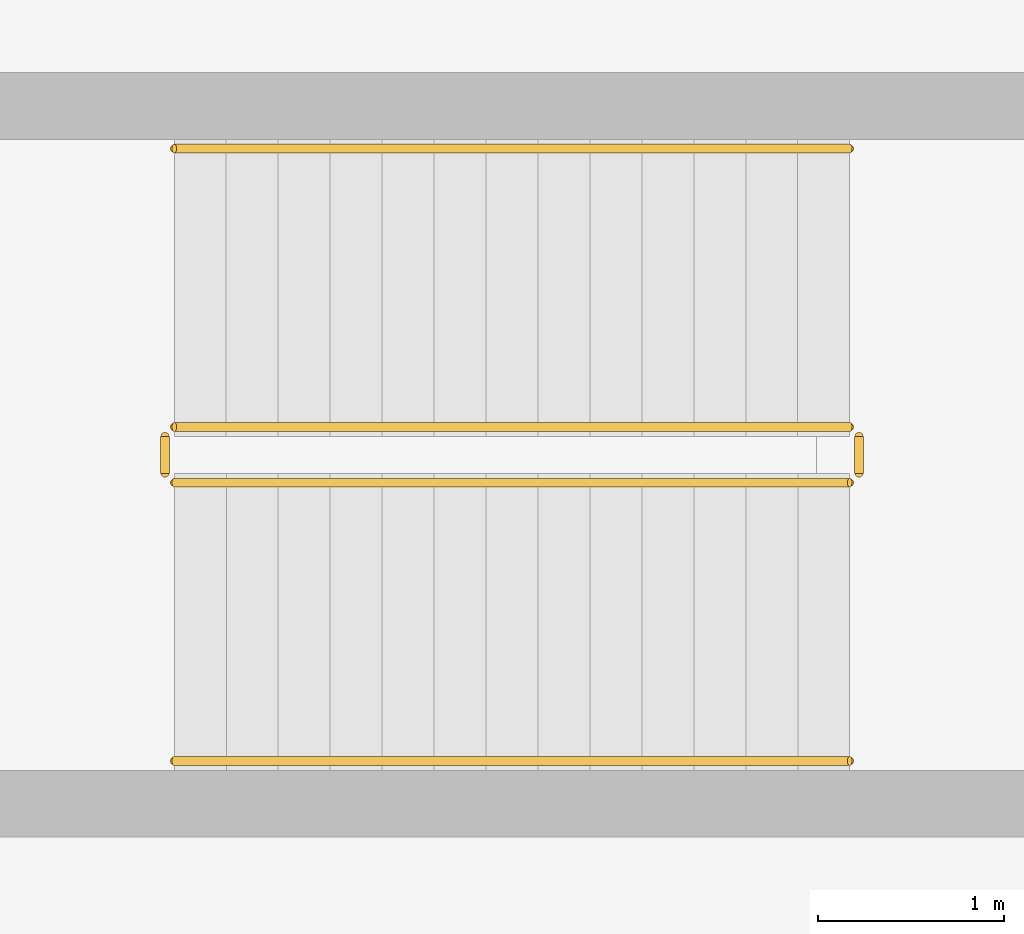
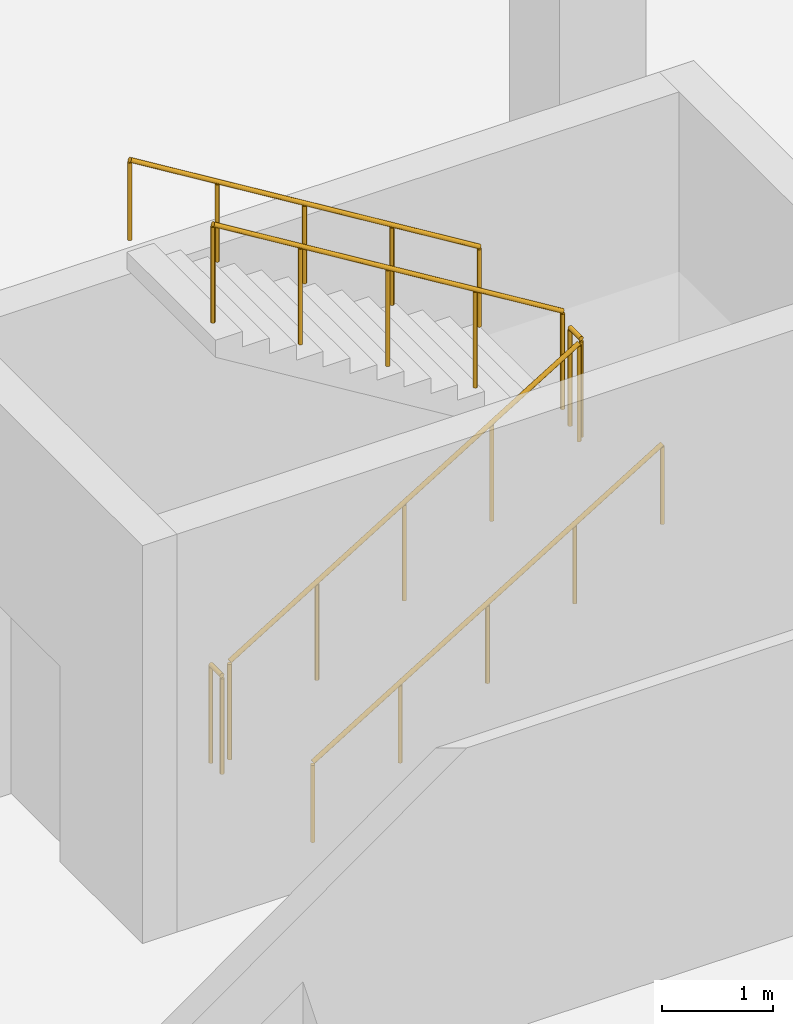
# One storey, part 25 of 28: 6 railings.
"""IFC4 building model written with IfcOpenShell, lengths in metres."""

from ifc_helpers import new_model, si_unit, direction, frame, origin, origin_2d, place, context, subcontext, project, spatial, circle, extrude, material, type_object, element, save


model = new_model("IFC4")

# Units and contexts
model_context = context("Model", 3, precision=1e-05, world=origin(), true_north=direction((0.0, 1.0)))
body_context = subcontext(model_context, "Body", "Model", "MODEL_VIEW")
ifc_project = project(units=[si_unit("LENGTHUNIT", "METRE"), si_unit("AREAUNIT", "SQUARE_METRE"), si_unit("VOLUMEUNIT", "CUBIC_METRE"), si_unit("PLANEANGLEUNIT", "RADIAN"), si_unit("MASSUNIT", "GRAM", prefix="KILO")], contexts=[model_context])

# Site, building, storey
site_placement = place(None, origin())
site = spatial("IfcSite", under=ifc_project, at=site_placement, CompositionType="ELEMENT")
building_placement = place(site_placement, origin())
building = spatial("IfcBuilding", under=site, at=building_placement, Name="Zereglee Splitstone Museum", CompositionType="ELEMENT")
storey_placement = place(building_placement, frame((0.0, 0.0, -4.800048828125)))
storey = spatial("IfcBuildingStorey", under=building, at=storey_placement, Name="B1", CompositionType="ELEMENT", Elevation=-4.800048828125)

# Railings
ifc_material_1 = material(Name="Painted steel S355J2 post-and-baluster guard", Category="steel")
railing_type_1 = type_object("IfcRailingType", Name="GR-03", PredefinedType="BALUSTRADE", material=ifc_material_1)
railing_1_placement = place(storey_placement, frame((187.85009765625, 43.949951171875, 0.17138671875)))
element("IfcRailing", 1, at=railing_1_placement, inside=storey, type_object=railing_type_1, Name="B1 ST-07 stair guard 1", PredefinedType="BALUSTRADE", context=body_context, shape_type="SweptSolid", body=[
    extrude(circle(Radius=0.02392578125, at=origin_2d()), frame((0.0, 0.0, 1.076416015625), z_axis=(0.852824790078, 0.0, 0.522197163366), x_axis=(0.0, 1.0, 0.0)), (0.0, 0.0, 1.0), 4.26806640625),
    extrude(circle(Radius=0.02099609375, at=origin_2d()), origin(), (0.0, 0.0, 1.0), 1.052001953125),
    extrude(circle(Radius=0.02099609375, at=origin_2d()), frame((0.909912109375, 0.0, 0.55712890625)), (0.0, 0.0, 1.0), 1.052001953125),
    extrude(circle(Radius=0.02099609375, at=origin_2d()), frame((1.81982421875, 0.0, 1.1142578125)), (0.0, 0.0, 1.0), 1.052001953125),
    extrude(circle(Radius=0.02099609375, at=origin_2d()), frame((2.72998046875, 0.0, 1.671630859375)), (0.0, 0.0, 1.0), 1.052001953125),
    extrude(circle(Radius=0.02099609375, at=origin_2d()), frame((3.639892578125, 0.0, 2.228759765625)), (0.0, 0.0, 1.0), 1.052001953125),
])
railing_2_placement = place(storey_placement, frame((191.5400390625, 44.0, 2.400146484375)))
element("IfcRailing", 2, at=railing_2_placement, inside=storey, type_object=railing_type_1, Name="B1 ST-07 stair guard 2", PredefinedType="BALUSTRADE", context=body_context, shape_type="SweptSolid", body=[
    extrude(circle(Radius=0.02392578125, at=origin_2d()), frame((0.0, 0.0, 1.076416015625), z_axis=(0.0, 1.0, 0.0), x_axis=(-1.0, 0.0, 0.0)), (0.0, 0.0, 1.0), 0.199951171875),
    extrude(circle(Radius=0.02099609375, at=origin_2d()), origin(), (0.0, 0.0, 1.0), 1.052001953125),
    extrude(circle(Radius=0.02099609375, at=origin_2d()), frame((0.0, 0.199951171875, 0.0)), (0.0, 0.0, 1.0), 1.052001953125),
])
railing_3_placement = place(storey_placement, frame((191.489990234375, 44.25, 2.571533203125)))
element("IfcRailing", 3, at=railing_3_placement, inside=storey, type_object=railing_type_1, Name="B1 ST-07 stair guard 3", PredefinedType="BALUSTRADE", context=body_context, shape_type="SweptSolid", body=[
    extrude(circle(Radius=0.02392578125, at=origin_2d()), frame((0.0, 0.0, 1.076416015625), z_axis=(-0.852850264322, 0.0, 0.5221555579), x_axis=(0.0, -1.0, 0.0)), (0.0, 0.0, 1.0), 4.267822265625),
    extrude(circle(Radius=0.02099609375, at=origin_2d()), origin(), (0.0, 0.0, 1.0), 1.052001953125),
    extrude(circle(Radius=0.02099609375, at=origin_2d()), frame((-0.909912109375, 0.0, 0.55712890625)), (0.0, 0.0, 1.0), 1.052001953125),
    extrude(circle(Radius=0.02099609375, at=origin_2d()), frame((-1.81982421875, 0.0, 1.1142578125)), (0.0, 0.0, 1.0), 1.052001953125),
    extrude(circle(Radius=0.02099609375, at=origin_2d()), frame((-2.72998046875, 0.0, 1.67138671875)), (0.0, 0.0, 1.0), 1.052001953125),
    extrude(circle(Radius=0.02099609375, at=origin_2d()), frame((-3.639892578125, 0.0, 2.228515625)), (0.0, 0.0, 1.0), 1.052001953125),
])
railing_4_placement = place(storey_placement, frame((187.800048828125, 44.0, 0.0)))
element("IfcRailing", 4, at=railing_4_placement, inside=storey, type_object=railing_type_1, Name="B1 ST-07 stair guard 4", PredefinedType="BALUSTRADE", context=body_context, shape_type="SweptSolid", body=[
    extrude(circle(Radius=0.02392578125, at=origin_2d()), frame((0.0, 0.0, 1.076416015625), z_axis=(0.0, 1.0, 0.0), x_axis=(-1.0, 0.0, 0.0)), (0.0, 0.0, 1.0), 0.199951171875),
    extrude(circle(Radius=0.02099609375, at=origin_2d()), origin(), (0.0, 0.0, 1.0), 1.052001953125),
    extrude(circle(Radius=0.02099609375, at=origin_2d()), frame((0.0, 0.199951171875, 0.0)), (0.0, 0.0, 1.0), 1.052001953125),
])
ifc_material_2 = material(Name="Architectural bronze tubular handrail", Category="steel")
railing_type_2 = type_object("IfcRailingType", Name="HR-01", PredefinedType="HANDRAIL", material=ifc_material_2)
railing_5_placement = place(storey_placement, frame((187.85009765625, 42.449951171875, 0.17138671875)))
element("IfcRailing", 5, at=railing_5_placement, inside=storey, type_object=railing_type_2, Name="B1 ST-07 stair handrail 1", PredefinedType="HANDRAIL", context=body_context, shape_type="SweptSolid", body=[
    extrude(circle(Radius=0.02392578125, at=origin_2d()), frame((0.0, 0.0, 0.8759765625), z_axis=(0.852824790078, 0.0, 0.522197163366), x_axis=(0.0, 1.0, 0.0)), (0.0, 0.0, 1.0), 4.26806640625),
    extrude(circle(Radius=0.02099609375, at=origin_2d()), origin(), (0.0, 0.0, 1.0), 0.851806640625),
    extrude(circle(Radius=0.02099609375, at=origin_2d()), frame((0.909912109375, 0.0, 0.55712890625)), (0.0, 0.0, 1.0), 0.851806640625),
    extrude(circle(Radius=0.02099609375, at=origin_2d()), frame((1.81982421875, 0.0, 1.1142578125)), (0.0, 0.0, 1.0), 0.851806640625),
    extrude(circle(Radius=0.02099609375, at=origin_2d()), frame((2.72998046875, 0.0, 1.671630859375)), (0.0, 0.0, 1.0), 0.851806640625),
    extrude(circle(Radius=0.02099609375, at=origin_2d()), frame((3.639892578125, 0.0, 2.228759765625)), (0.0, 0.0, 1.0), 0.851806640625),
])
railing_6_placement = place(storey_placement, frame((191.489990234375, 45.75, 2.571533203125)))
element("IfcRailing", 6, at=railing_6_placement, inside=storey, type_object=railing_type_2, Name="B1 ST-07 stair handrail 2", PredefinedType="HANDRAIL", context=body_context, shape_type="SweptSolid", body=[
    extrude(circle(Radius=0.02392578125, at=origin_2d()), frame((0.0, 0.0, 0.8759765625), z_axis=(-0.852850264322, 0.0, 0.5221555579), x_axis=(0.0, -1.0, 0.0)), (0.0, 0.0, 1.0), 4.267822265625),
    extrude(circle(Radius=0.02099609375, at=origin_2d()), origin(), (0.0, 0.0, 1.0), 0.851806640625),
    extrude(circle(Radius=0.02099609375, at=origin_2d()), frame((-0.909912109375, 0.0, 0.55712890625)), (0.0, 0.0, 1.0), 0.851806640625),
    extrude(circle(Radius=0.02099609375, at=origin_2d()), frame((-1.81982421875, 0.0, 1.1142578125)), (0.0, 0.0, 1.0), 0.851806640625),
    extrude(circle(Radius=0.02099609375, at=origin_2d()), frame((-2.72998046875, 0.0, 1.67138671875)), (0.0, 0.0, 1.0), 0.851806640625),
    extrude(circle(Radius=0.02099609375, at=origin_2d()), frame((-3.639892578125, 0.0, 2.228515625)), (0.0, 0.0, 1.0), 0.851806640625),
])

save(model, "model.ifc")
